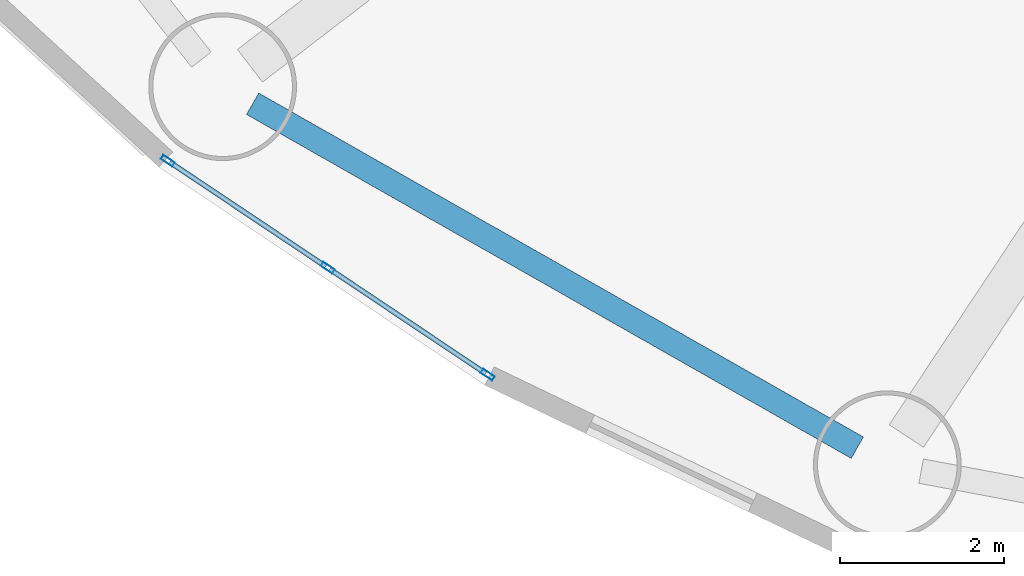
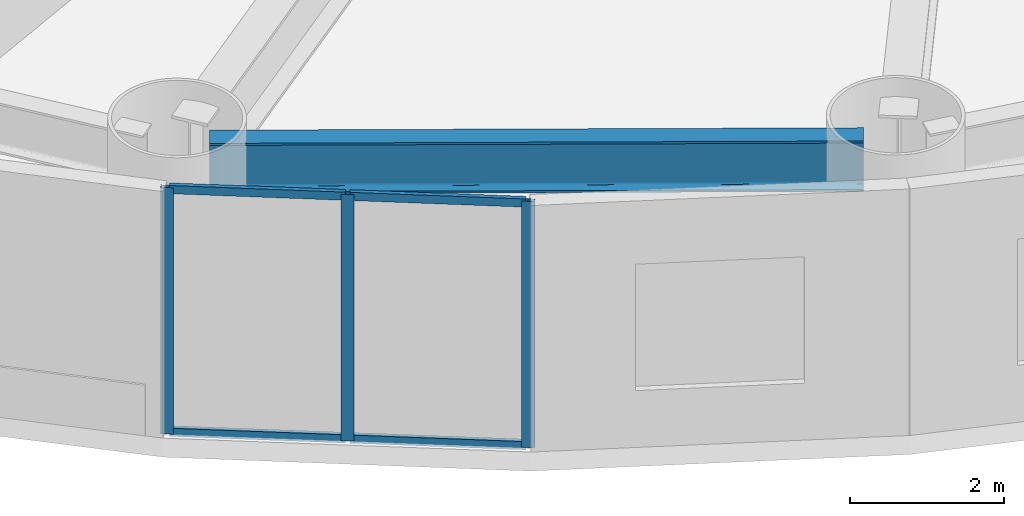
# One storey, part 4 of 27: 7 members, 1 beam, 1 element without a shape of its own.
"""IFC4 building model written with IfcOpenShell, lengths in metres."""

from ifc_helpers import new_model, si_unit, direction, frame, origin, origin_2d, place, context, subcontext, project, spatial, hollow_rectangle, i_section, extrude, source, transform, mapped, material, layer, layer_set, material_profile, profile_set, type_object, element, aggregate, save


model = new_model("IFC4")

# Units and contexts
model_context = context("Model", 3, precision=1e-05, world=origin(), true_north=direction((0.0, 1.0)))
body_context = subcontext(model_context, "Body", "Model", "MODEL_VIEW")
ifc_project = project(units=[si_unit("LENGTHUNIT", "METRE"), si_unit("AREAUNIT", "SQUARE_METRE"), si_unit("VOLUMEUNIT", "CUBIC_METRE"), si_unit("PLANEANGLEUNIT", "RADIAN"), si_unit("MASSUNIT", "GRAM", prefix="KILO")], contexts=[model_context])

# Site, building, storey
site_placement = place(None, origin())
site = spatial("IfcSite", under=ifc_project, at=site_placement, CompositionType="ELEMENT")
building_placement = place(site_placement, origin())
building = spatial("IfcBuilding", under=site, at=building_placement, Name="Linh Dai School and Residence Tower", CompositionType="ELEMENT")
storey_placement = place(building_placement, frame((0.0, 0.0, 22.800048828125)))
storey = spatial("IfcBuildingStorey", under=building, at=storey_placement, Name="L05", CompositionType="ELEMENT", Elevation=22.800048828125)

# Beam
ifc_material_1 = material(Name="Structural Steel S355JR", Category="steel")
ifc_material_profile_1 = material_profile(ifc_material_1, i_section(OverallWidth=0.300048828125, OverallDepth=0.800048828125, WebThickness=0.017578125, FlangeThickness=0.032958984375, FilletRadius=0.030029296875, at=origin_2d()), Name="HEB 800")
ifc_profile_set_1 = profile_set([ifc_material_profile_1], Name="Structural Steel S355JR")
beam_type = type_object("IfcBeamType", Name="BM-RG8", PredefinedType="BEAM", material=ifc_profile_set_1)
beam_placement = place(storey_placement, frame((13.659912109375, 9.3916015625, 3.5), z_axis=(0.869246663758, -0.494378637833, 0.0), x_axis=(0.494378637833, 0.869246663758, 0.0)))
element("IfcBeam", 1, at=beam_placement, inside=storey, type_object=beam_type, Name="L05 Perimeter Elliptical Ring Beam 11", PredefinedType="BEAM", context=body_context, shape_type="SweptSolid", body=[
    extrude(i_section(OverallWidth=0.300048828125, OverallDepth=0.800048828125, WebThickness=0.017578125, FlangeThickness=0.032958984375, FilletRadius=0.030029296875, at=origin_2d()), origin(), (0.0, 0.0, 1.0), 8.4736328125),
])

# Curtain wall, members
ifc_material_2 = material(Name="Aluminium Anodised Curtain Wall", Category="aluminium")
ifc_layer = layer(ifc_material_2, 0.169921875)
ifc_layer_set = layer_set([ifc_layer], Name="Aluminium Anodised Curtain Wall")
curtain_wall_type = type_object("IfcCurtainWallType", Name="CW-SYS-2", PredefinedType="USERDEFINED", material=ifc_layer_set)
curtain_wall_placement = place(storey_placement, origin())
curtain_wall = element("IfcCurtainWall", 2, at=curtain_wall_placement, inside=storey, type_object=curtain_wall_type, Name="L05 CW2 Curtain Wall 26", ObjectType="UNITISED CURTAIN WALL", PredefinedType="USERDEFINED")
ifc_material_3 = material(Name="Aluminium Alloy 6063-T6", Category="aluminium")
ifc_material_profile_2 = material_profile(ifc_material_3, hollow_rectangle(XDim=0.06005859375, YDim=0.169921875, WallThickness=0.00390625, at=origin_2d()), Name="RHS 170x60x4")
ifc_profile_set_2 = profile_set([ifc_material_profile_2], Name="Aluminium Alloy 6063-T6")
member_type_1 = type_object("IfcMemberType", Name="CW-SYS-2-MUL", PredefinedType="MULLION", material=ifc_profile_set_2)
shared_shape_1 = source(origin(), body_context, "Body", "SweptSolid", [
    extrude(hollow_rectangle(XDim=0.06005859375, YDim=0.169921875, WallThickness=0.00390625, at=origin_2d()), origin(), (0.0, 0.0, 1.0), 3.89990234375),
])
member_1_placement = place(storey_placement, frame((16.5224609375, 6.0908203125, 0.0), z_axis=(0.0, 0.0, 1.0), x_axis=(-0.555956563843, -0.831211344437, 0.0)))
member_1 = element("IfcMember", 3, at=member_1_placement, type_object=member_type_1, Name="CW2 mullion 1", PredefinedType="MULLION", context=body_context, shape_type="MappedRepresentation", body=[
    mapped(shared_shape_1, transform((0.0, 0.0, 0.0), x_axis=(1.0, 0.0, 0.0), y_axis=(0.0, 1.0, 0.0), z_axis=(0.0, 0.0, 1.0), scale=1.0)),
])
member_2_placement = place(storey_placement, frame((14.57421875, 7.393798828125, 0.0), z_axis=(0.0, 0.0, 1.0), x_axis=(-0.555956563843, -0.831211344437, 0.0)))
member_2 = element("IfcMember", 4, at=member_2_placement, type_object=member_type_1, Name="CW2 mullion 2", PredefinedType="MULLION", context=body_context, shape_type="MappedRepresentation", body=[
    mapped(shared_shape_1, transform((0.0, 0.0, 0.0), x_axis=(1.0, 0.0, 0.0), y_axis=(0.0, 1.0, 0.0), z_axis=(0.0, 0.0, 1.0), scale=1.0)),
])
member_3_placement = place(storey_placement, frame((12.6259765625, 8.697021484375, 0.0), z_axis=(0.0, 0.0, 1.0), x_axis=(-0.555956563843, -0.831211344437, 0.0)))
member_3 = element("IfcMember", 5, at=member_3_placement, type_object=member_type_1, Name="CW2 mullion 3", PredefinedType="MULLION", context=body_context, shape_type="MappedRepresentation", body=[
    mapped(shared_shape_1, transform((0.0, 0.0, 0.0), x_axis=(1.0, 0.0, 0.0), y_axis=(0.0, 1.0, 0.0), z_axis=(0.0, 0.0, 1.0), scale=1.0)),
])
ifc_material_profile_3 = material_profile(ifc_material_3, hollow_rectangle(XDim=0.06005859375, YDim=0.1298828125, WallThickness=0.00390625, at=origin_2d()), Name="RHS 130x60x4")
ifc_profile_set_3 = profile_set([ifc_material_profile_3], Name="Aluminium Alloy 6063-T6")
member_type_2 = type_object("IfcMemberType", Name="CW-SYS-2-TRN", PredefinedType="USERDEFINED", material=ifc_profile_set_3)
shared_shape_2 = source(origin(), body_context, "Body", "SweptSolid", [
    extrude(hollow_rectangle(XDim=0.06005859375, YDim=0.1298828125, WallThickness=0.00390625, at=origin_2d()), origin(), (0.0, 0.0, 1.0), 2.28369140625),
])
member_4_placement = place(storey_placement, frame((16.49755859375, 6.107666015625, 0.030029296875), z_axis=(-0.831260031008, 0.555883765592, 0.0), x_axis=(-0.555883765592, -0.831260031008, 0.0)))
member_4 = element("IfcMember", 6, at=member_4_placement, type_object=member_type_2, Name="CW2 transom 1.1", ObjectType="TRANSOM", PredefinedType="USERDEFINED", context=body_context, shape_type="MappedRepresentation", body=[
    mapped(shared_shape_2, transform((0.0, 0.0, 0.0), x_axis=(1.0, 0.0, 0.0), y_axis=(0.0, 1.0, 0.0), z_axis=(0.0, 0.0, 1.0), scale=1.0)),
])
member_5_placement = place(storey_placement, frame((16.49755859375, 6.107666015625, 3.869873046875), z_axis=(-0.831260031008, 0.555883765592, 0.0), x_axis=(-0.555883765592, -0.831260031008, 0.0)))
member_5 = element("IfcMember", 7, at=member_5_placement, type_object=member_type_2, Name="CW2 transom 1.2", ObjectType="TRANSOM", PredefinedType="USERDEFINED", context=body_context, shape_type="MappedRepresentation", body=[
    mapped(shared_shape_2, transform((0.0, 0.0, 0.0), x_axis=(1.0, 0.0, 0.0), y_axis=(0.0, 1.0, 0.0), z_axis=(0.0, 0.0, 1.0), scale=1.0)),
])
member_6_placement = place(storey_placement, frame((14.54931640625, 7.41064453125, 0.030029296875), z_axis=(-0.831260031008, 0.555883765592, 0.0), x_axis=(-0.555883765592, -0.831260031008, 0.0)))
member_6 = element("IfcMember", 8, at=member_6_placement, type_object=member_type_2, Name="CW2 transom 2.1", ObjectType="TRANSOM", PredefinedType="USERDEFINED", context=body_context, shape_type="MappedRepresentation", body=[
    mapped(shared_shape_2, transform((0.0, 0.0, 0.0), x_axis=(1.0, 0.0, 0.0), y_axis=(0.0, 1.0, 0.0), z_axis=(0.0, 0.0, 1.0), scale=1.0)),
])
member_7_placement = place(storey_placement, frame((14.54931640625, 7.41064453125, 3.869873046875), z_axis=(-0.831260031008, 0.555883765592, 0.0), x_axis=(-0.555883765592, -0.831260031008, 0.0)))
member_7 = element("IfcMember", 9, at=member_7_placement, type_object=member_type_2, Name="CW2 transom 2.2", ObjectType="TRANSOM", PredefinedType="USERDEFINED", context=body_context, shape_type="MappedRepresentation", body=[
    mapped(shared_shape_2, transform((0.0, 0.0, 0.0), x_axis=(1.0, 0.0, 0.0), y_axis=(0.0, 1.0, 0.0), z_axis=(0.0, 0.0, 1.0), scale=1.0)),
])
aggregate(curtain_wall, [member_1, member_2, member_3, member_4, member_5, member_6, member_7])

save(model, "model.ifc")
